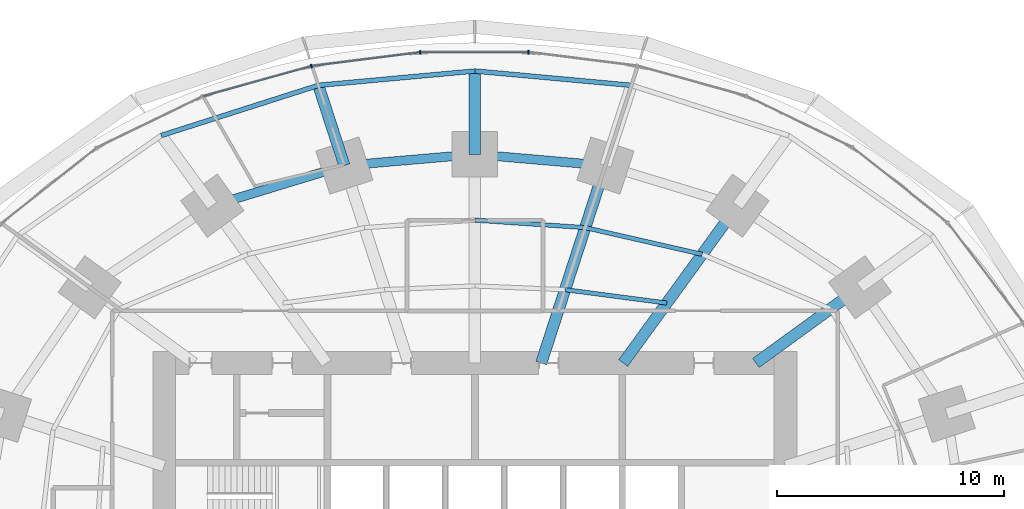
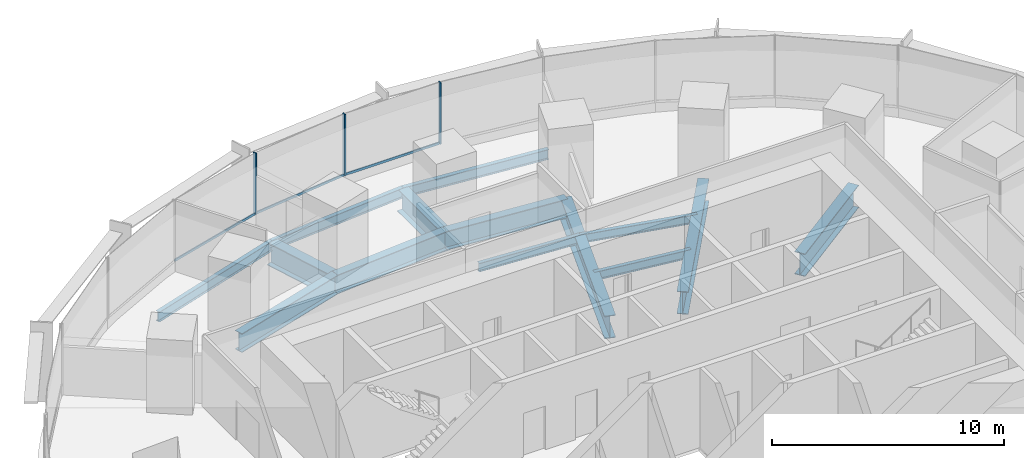
# One storey, part 8 of 15: 14 beams, 6 members, 1 element without a shape of its own.
"""IFC4 building model written with IfcOpenShell, lengths in metres."""

from ifc_helpers import new_model, si_unit, direction, frame, origin, origin_2d, place, context, subcontext, project, spatial, rectangle, i_section, extrude, material, material_profile, profile_set, type_object, element, aggregate, save


model = new_model("IFC4")

# Units and contexts
model_context = context("Model", 3, precision=1e-05, world=origin(), true_north=direction((0.0, 1.0)))
body_context = subcontext(model_context, "Body", "Model", "MODEL_VIEW")
ifc_project = project(units=[si_unit("LENGTHUNIT", "METRE"), si_unit("AREAUNIT", "SQUARE_METRE"), si_unit("VOLUMEUNIT", "CUBIC_METRE"), si_unit("PLANEANGLEUNIT", "RADIAN"), si_unit("MASSUNIT", "GRAM", prefix="KILO")], contexts=[model_context])

# Site, building, storey
site_placement = place(None, origin())
site = spatial("IfcSite", under=ifc_project, at=site_placement, CompositionType="ELEMENT")
building_placement = place(site_placement, origin())
building = spatial("IfcBuilding", under=site, at=building_placement, Name="Marramba Exchange Tower", CompositionType="ELEMENT")
storey_placement = place(building_placement, frame((0.0, 0.0, 70.0)))
storey = spatial("IfcBuildingStorey", under=building, at=storey_placement, Name="L16", CompositionType="ELEMENT", Elevation=70.0)

# Beams
ifc_material_1 = material(Name="Steel AS/NZS 3679.2 grade 300", Category="steel")
ifc_material_profile_1 = material_profile(ifc_material_1, i_section(OverallWidth=0.5, OverallDepth=1.199951171875, WebThickness=0.01611328125, FlangeThickness=0.0400390625, at=origin_2d()), Name="1200WB455")
ifc_profile_set_1 = profile_set([ifc_material_profile_1], Name="Steel AS/NZS 3679.2 grade 300")
beam_type_1 = type_object("IfcBeamType", Name="Cantilever girder 1200WB455", PredefinedType="BEAM", material=ifc_profile_set_1)
beam_1_placement = place(storey_placement, frame((0.0, 18.2041015625, -0.760009765625), z_axis=(0.0, 1.0, 0.0), x_axis=(-1.0, 0.0, 0.0)))
element("IfcBeam", 1, at=beam_1_placement, inside=storey, type_object=beam_type_1, Name="Cantilever girder L16 TC06", PredefinedType="BEAM", context=body_context, shape_type="SweptSolid", body=[
    extrude(i_section(OverallWidth=0.5, OverallDepth=1.199951171875, WebThickness=0.01611328125, FlangeThickness=0.0400390625, at=origin_2d()), origin(), (0.0, 0.0, 1.0), 3.673828125),
])
beam_2_placement = place(storey_placement, frame((-5.75390625, 17.70849609375, -0.760009765625), z_axis=(-0.308973290646, 0.951070715387, 0.0), x_axis=(-0.951070715387, -0.308973290646, 0.0)))
element("IfcBeam", 2, at=beam_2_placement, inside=storey, type_object=beam_type_1, Name="Cantilever girder L16 TC07", PredefinedType="BEAM", context=body_context, shape_type="SweptSolid", body=[
    extrude(i_section(OverallWidth=0.5, OverallDepth=1.199951171875, WebThickness=0.01611328125, FlangeThickness=0.0400390625, at=origin_2d()), origin(), (0.0, 0.0, 1.0), 3.72021484375),
])
ifc_material_2 = material(Name="Steel AS/NZS 3679.1 grade 300", Category="steel")
ifc_material_profile_2 = material_profile(ifc_material_2, i_section(OverallWidth=0.18994140625, OverallDepth=0.4541015625, WebThickness=0.008544921875, FlangeThickness=0.0126953125, FilletRadius=0.011474609375, at=origin_2d()), Name="460UB67.1")
ifc_profile_set_2 = profile_set([ifc_material_profile_2], Name="Steel AS/NZS 3679.1 grade 300")
beam_type_2 = type_object("IfcBeamType", Name="Floor joist 460UB67.1", PredefinedType="JOIST", material=ifc_profile_set_2)
beam_3_placement = place(storey_placement, frame((8.4619140625, 11.646728515625, -0.386962890625), z_axis=(-0.991480538255, 0.130254912618, 0.0), x_axis=(-0.130254912618, -0.991480538255, 0.0)))
element("IfcBeam", 3, at=beam_3_placement, inside=storey, type_object=beam_type_2, Name="Joist L16 bay 04 row 1", PredefinedType="JOIST", context=body_context, shape_type="SweptSolid", body=[
    extrude(i_section(OverallWidth=0.18994140625, OverallDepth=0.4541015625, WebThickness=0.008544921875, FlangeThickness=0.0126953125, FilletRadius=0.011474609375, at=origin_2d()), origin(), (0.0, 0.0, 1.0), 4.524658203125),
])
beam_4_placement = place(storey_placement, frame((10.021728515625, 13.793701171875, -0.386962890625), z_axis=(-0.974859652292, 0.222819788916, 0.0), x_axis=(-0.222819788916, -0.974859652292, 0.0)))
element("IfcBeam", 4, at=beam_4_placement, inside=storey, type_object=beam_type_2, Name="Joist L16 bay 04 row 2", PredefinedType="JOIST", context=body_context, shape_type="SweptSolid", body=[
    extrude(i_section(OverallWidth=0.18994140625, OverallDepth=0.4541015625, WebThickness=0.008544921875, FlangeThickness=0.0126953125, FilletRadius=0.011474609375, at=origin_2d()), origin(), (0.0, 0.0, 1.0), 5.2900390625),
])
beam_5_placement = place(storey_placement, frame((4.86474609375, 14.972412109375, -0.386962890625), z_axis=(-0.997702652202, 0.067745241816, 0.0), x_axis=(-0.067745241816, -0.997702652202, 0.0)))
element("IfcBeam", 5, at=beam_5_placement, inside=storey, type_object=beam_type_2, Name="Joist L16 bay 05 row 2", PredefinedType="JOIST", context=body_context, shape_type="SweptSolid", body=[
    extrude(i_section(OverallWidth=0.18994140625, OverallDepth=0.4541015625, WebThickness=0.008544921875, FlangeThickness=0.0126953125, FilletRadius=0.011474609375, at=origin_2d()), origin(), (0.0, 0.0, 1.0), 4.8759765625),
])
ifc_material_profile_3 = material_profile(ifc_material_1, i_section(OverallWidth=0.5, OverallDepth=1.199951171875, WebThickness=0.01611328125, FlangeThickness=0.0400390625, at=origin_2d()), Name="1200WB455")
ifc_profile_set_3 = profile_set([ifc_material_profile_3], Name="Steel AS/NZS 3679.2 grade 300")
beam_type_3 = type_object("IfcBeamType", Name="Radial girder 1200WB455", PredefinedType="BEAM", material=ifc_profile_set_3)
beam_6_placement = place(storey_placement, frame((12.387451171875, 9.0, -0.760009765625), z_axis=(0.809025746925, 0.587773205252, 0.0), x_axis=(-0.587773205252, 0.809025746925, 0.0)))
element("IfcBeam", 6, at=beam_6_placement, inside=storey, type_object=beam_type_3, Name="Radial girder L16 TC03", PredefinedType="BEAM", context=body_context, shape_type="SweptSolid", body=[
    extrude(i_section(OverallWidth=0.5, OverallDepth=1.199951171875, WebThickness=0.01611328125, FlangeThickness=0.0400390625, at=origin_2d()), origin(), (0.0, 0.0, 1.0), 5.683837890625),
])
beam_7_placement = place(storey_placement, frame((6.538818359375, 9.0, -0.760009765625), z_axis=(0.587782439969, 0.80901903764, 0.0), x_axis=(-0.80901903764, 0.587782439969, 0.0)))
element("IfcBeam", 7, at=beam_7_placement, inside=storey, type_object=beam_type_3, Name="Radial girder L16 TC04", PredefinedType="BEAM", context=body_context, shape_type="SweptSolid", body=[
    extrude(i_section(OverallWidth=0.5, OverallDepth=1.199951171875, WebThickness=0.01611328125, FlangeThickness=0.0400390625, at=origin_2d()), origin(), (0.0, 0.0, 1.0), 8.578857421875),
])
beam_8_placement = place(storey_placement, frame((2.92431640625, 9.0, -0.760009765625), z_axis=(0.309019754162, 0.951055619582, 0.0), x_axis=(-0.951055619582, 0.309019754162, 0.0)))
element("IfcBeam", 8, at=beam_8_placement, inside=storey, type_object=beam_type_3, Name="Radial girder L16 TC05", PredefinedType="BEAM", context=body_context, shape_type="SweptSolid", body=[
    extrude(i_section(OverallWidth=0.5, OverallDepth=1.199951171875, WebThickness=0.01611328125, FlangeThickness=0.0400390625, at=origin_2d()), origin(), (0.0, 0.0, 1.0), 9.15673828125),
])
ifc_material_profile_4 = material_profile(ifc_material_1, i_section(OverallWidth=0.39990234375, OverallDepth=1.0, WebThickness=0.01611328125, FlangeThickness=0.031982421875, at=origin_2d()), Name="1000WB322")
ifc_profile_set_4 = profile_set([ifc_material_profile_4], Name="Steel AS/NZS 3679.2 grade 300")
beam_type_4 = type_object("IfcBeamType", Name="Ring beam 1000WB322", PredefinedType="SPANDREL", material=ifc_profile_set_4)
for number, where, z_axis, x_axis, name in (
    (9, (5.75390625, 17.70849609375, -0.659912109375), (-0.996311003275, 0.085815993578, 0.0), (-0.085815993578, -0.996311003275, 0.0), "Ring beam L16 TC05-TC06"),
    (10, (0.0, 18.2041015625, -0.659912109375), (-0.996311003275, -0.085815993578, 0.0), (0.085815993578, -0.996311003275, 0.0), "Ring beam L16 TC06-TC07"),
):
    element("IfcBeam", number, at=place(storey_placement, frame(where, z_axis=z_axis, x_axis=x_axis)), inside=storey, type_object=beam_type_4, Name=name, PredefinedType="SPANDREL", context=body_context, shape_type="SweptSolid", body=[
        extrude(i_section(OverallWidth=0.39990234375, OverallDepth=1.0, WebThickness=0.01611328125, FlangeThickness=0.031982421875, at=origin_2d()), origin(), (0.0, 0.0, 1.0), 5.775146484375),
    ])
beam_9_placement = place(storey_placement, frame((-5.75390625, 17.70849609375, -0.659912109375), z_axis=(-0.956924542524, -0.290336735387, 0.0), x_axis=(0.290336735387, -0.956924542524, 0.0)))
element("IfcBeam", 11, at=beam_9_placement, inside=storey, type_object=beam_type_4, Name="Ring beam L16 TC07-TC08", PredefinedType="SPANDREL", context=body_context, shape_type="SweptSolid", body=[
    extrude(i_section(OverallWidth=0.39990234375, OverallDepth=1.0, WebThickness=0.01611328125, FlangeThickness=0.031982421875, at=origin_2d()), origin(), (0.0, 0.0, 1.0), 6.089599609375),
])
ifc_material_profile_5 = material_profile(ifc_material_2, i_section(OverallWidth=0.208984375, OverallDepth=0.528076171875, WebThickness=0.009521484375, FlangeThickness=0.01318359375, FilletRadius=0.013916015625, at=origin_2d()), Name="530UB82.0")
ifc_profile_set_5 = profile_set([ifc_material_profile_5], Name="Steel AS/NZS 3679.1 grade 300")
beam_type_5 = type_object("IfcBeamType", Name="Slab edge beam 530UB82.0", PredefinedType="SPANDREL", material=ifc_profile_set_5)
for number, where, z_axis, x_axis, name in (
    (12, (6.9033203125, 21.24658203125, -0.424072265625), (-0.995843984921, 0.091075560369, 0.0), (-0.091075560369, -0.995843984921, 0.0), "Slab edge beam L16 TC05-TC06"),
    (13, (0.0, 21.8779296875, -0.424072265625), (-0.995843984921, -0.091075560369, 0.0), (0.091075560369, -0.995843984921, 0.0), "Slab edge beam L16 TC06-TC07"),
):
    element("IfcBeam", number, at=place(storey_placement, frame(where, z_axis=z_axis, x_axis=x_axis)), inside=storey, type_object=beam_type_5, Name=name, PredefinedType="SPANDREL", context=body_context, shape_type="SweptSolid", body=[
        extrude(i_section(OverallWidth=0.208984375, OverallDepth=0.528076171875, WebThickness=0.009521484375, FlangeThickness=0.01318359375, FilletRadius=0.013916015625, at=origin_2d()), origin(), (0.0, 0.0, 1.0), 6.93212890625),
    ])
beam_10_placement = place(storey_placement, frame((-6.9033203125, 21.24658203125, -0.424072265625), z_axis=(-0.952577642997, -0.304295635957, 0.0), x_axis=(0.304295635957, -0.952577642997, 0.0)))
element("IfcBeam", 14, at=beam_10_placement, inside=storey, type_object=beam_type_5, Name="Slab edge beam L16 TC07-TC08", PredefinedType="SPANDREL", context=body_context, shape_type="SweptSolid", body=[
    extrude(i_section(OverallWidth=0.208984375, OverallDepth=0.528076171875, WebThickness=0.009521484375, FlangeThickness=0.01318359375, FilletRadius=0.013916015625, at=origin_2d()), origin(), (0.0, 0.0, 1.0), 7.2705078125),
])

# Curtain wall, members
ifc_material_3 = material(Name="Aluminium framing, bronze anodised", Category="aluminium")
curtain_wall_type = type_object("IfcCurtainWallType", Name="Trading floor ribbon curtain wall", PredefinedType="USERDEFINED", material=ifc_material_3)
curtain_wall_placement = place(storey_placement, origin())
curtain_wall = element("IfcCurtainWall", 15, at=curtain_wall_placement, inside=storey, type_object=curtain_wall_type, Name="Curtain wall CW3 L16 F06-F10", ObjectType="RIBBON CURTAIN WALL", PredefinedType="USERDEFINED")
ifc_material_4 = material(Name="Aluminium mullion, bronze anodised", Category="aluminium")
ifc_material_profile_6 = material_profile(ifc_material_4, rectangle(XDim=0.159912109375, YDim=0.06005859375, at=origin_2d()), Name="CW3 mullion 60x160")
ifc_profile_set_6 = profile_set([ifc_material_profile_6], Name="Aluminium mullion, bronze anodised")
member_type_1 = type_object("IfcMemberType", Name="Trading floor ribbon curtain wall mullion", PredefinedType="MULLION", material=ifc_profile_set_6)
member_1_placement = place(storey_placement, frame((2.3564453125, 22.7060546875, 0.800048828125), z_axis=(0.0, 0.0, 1.0), x_axis=(0.0, -1.0, 0.0)))
member_1 = element("IfcMember", 16, at=member_1_placement, type_object=member_type_1, Name="CW3 mullion 1", PredefinedType="MULLION", context=body_context, shape_type="SweptSolid", body=[
    extrude(rectangle(XDim=0.159912109375, YDim=0.06005859375, at=origin_2d()), origin(), (0.0, 0.0, 1.0), 3.239990234375),
])
member_2_placement = place(storey_placement, frame((-2.416259765625, 22.7021484375, 0.800048828125), z_axis=(0.0, 0.0, 1.0), x_axis=(0.124872723099, -0.992172768738, 0.0)))
member_2 = element("IfcMember", 17, at=member_2_placement, type_object=member_type_1, Name="CW3 mullion 1", PredefinedType="MULLION", context=body_context, shape_type="SweptSolid", body=[
    extrude(rectangle(XDim=0.159912109375, YDim=0.06005859375, at=origin_2d()), origin(), (0.0, 0.0, 1.0), 3.239990234375),
])
member_3_placement = place(storey_placement, frame((-7.21044921875, 22.094482421875, 0.800048828125), z_axis=(0.0, 0.0, 1.0), x_axis=(0.267808735815, -0.963472096649, 0.0)))
member_3 = element("IfcMember", 18, at=member_3_placement, type_object=member_type_1, Name="CW3 mullion 1", PredefinedType="MULLION", context=body_context, shape_type="SweptSolid", body=[
    extrude(rectangle(XDim=0.159912109375, YDim=0.06005859375, at=origin_2d()), origin(), (0.0, 0.0, 1.0), 3.239990234375),
])
ifc_material_5 = material(Name="Aluminium transom, bronze anodised", Category="aluminium")
ifc_material_profile_7 = material_profile(ifc_material_5, rectangle(XDim=0.06005859375, YDim=0.1201171875, at=origin_2d()), Name="CW3 transom 60x120")
ifc_profile_set_7 = profile_set([ifc_material_profile_7], Name="Aluminium transom, bronze anodised")
member_type_2 = type_object("IfcMemberType", Name="Trading floor ribbon curtain wall transom", PredefinedType="USERDEFINED", material=ifc_profile_set_7)
member_4_placement = place(storey_placement, frame((2.326416015625, 22.7060546875, 0.830078125), z_axis=(-1.0, 0.0, 0.0), x_axis=(0.0, -1.0, 0.0)))
member_4 = element("IfcMember", 19, at=member_4_placement, type_object=member_type_2, Name="CW3 sill transom", ObjectType="TRANSOM", PredefinedType="USERDEFINED", context=body_context, shape_type="SweptSolid", body=[
    extrude(rectangle(XDim=0.06005859375, YDim=0.1201171875, at=origin_2d()), origin(), (0.0, 0.0, 1.0), 4.712890625),
])
member_5_placement = place(storey_placement, frame((-2.446044921875, 22.698486328125, 0.830078125), z_axis=(-0.992174445211, -0.124859402009, 0.0), x_axis=(0.124859402009, -0.992174445211, 0.0)))
member_5 = element("IfcMember", 20, at=member_5_placement, type_object=member_type_2, Name="CW3 sill transom", ObjectType="TRANSOM", PredefinedType="USERDEFINED", context=body_context, shape_type="SweptSolid", body=[
    extrude(rectangle(XDim=0.06005859375, YDim=0.1201171875, at=origin_2d()), origin(), (0.0, 0.0, 1.0), 4.77294921875),
])
member_6_placement = place(storey_placement, frame((-7.2392578125, 22.08642578125, 0.830078125), z_axis=(-0.963472490071, -0.267807320431, 0.0), x_axis=(0.267807320431, -0.963472490071, 0.0)))
member_6 = element("IfcMember", 21, at=member_6_placement, type_object=member_type_2, Name="CW3 sill transom", ObjectType="TRANSOM", PredefinedType="USERDEFINED", context=body_context, shape_type="SweptSolid", body=[
    extrude(rectangle(XDim=0.06005859375, YDim=0.1201171875, at=origin_2d()), origin(), (0.0, 0.0, 1.0), 4.93017578125),
])
aggregate(curtain_wall, [member_1, member_4, member_2, member_5, member_3, member_6])

save(model, "model.ifc")
